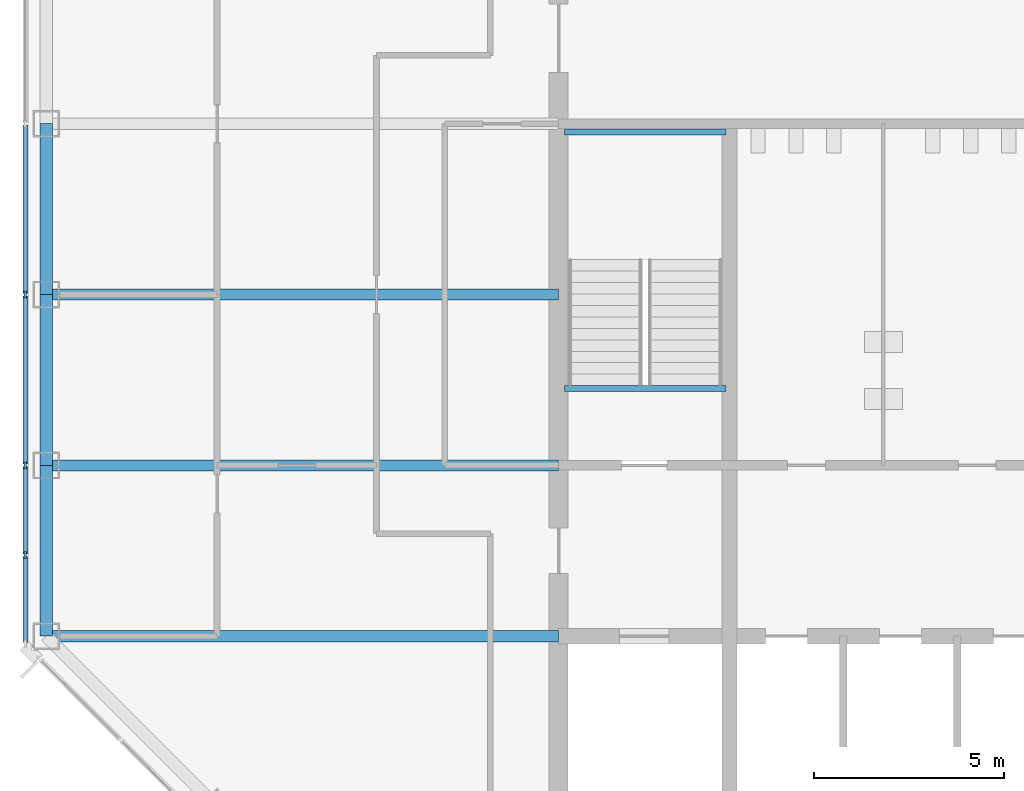
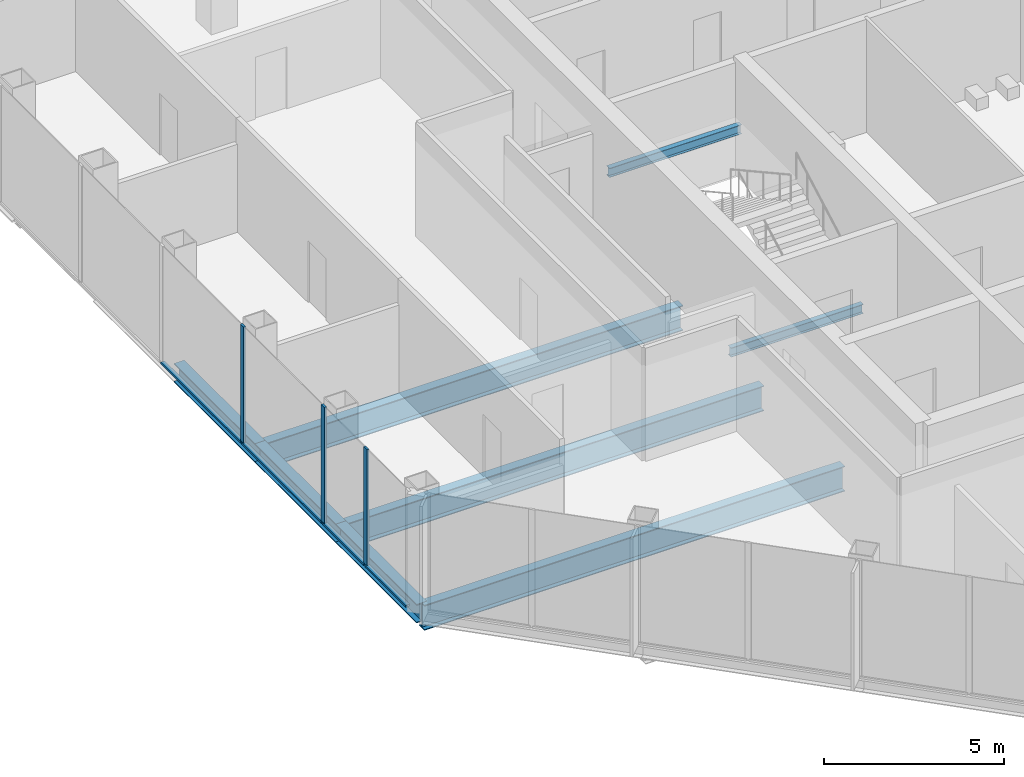
# One storey, part 3 of 13: 8 beams, 7 members, 1 element without a shape of its own.
"""IFC4 building model written with IfcOpenShell, lengths in metres."""

from ifc_helpers import new_model, si_unit, direction, frame, origin, origin_2d, place, context, subcontext, project, spatial, rectangle, i_section, extrude, material, material_profile, profile_set, type_object, element, aggregate, save


model = new_model("IFC4")

# Units and contexts
model_context = context("Model", 3, precision=1e-05, world=origin(), true_north=direction((0.0, 1.0)))
body_context = subcontext(model_context, "Body", "Model", "MODEL_VIEW")
ifc_project = project(units=[si_unit("LENGTHUNIT", "METRE"), si_unit("AREAUNIT", "SQUARE_METRE"), si_unit("VOLUMEUNIT", "CUBIC_METRE"), si_unit("PLANEANGLEUNIT", "RADIAN"), si_unit("MASSUNIT", "GRAM", prefix="KILO")], contexts=[model_context])

# Site, building, storey
site_placement = place(None, origin())
site = spatial("IfcSite", under=ifc_project, at=site_placement, CompositionType="ELEMENT")
building_placement = place(site_placement, origin())
building = spatial("IfcBuilding", under=site, at=building_placement, Name="Corais Broadcast Tower", CompositionType="ELEMENT")
storey_placement = place(building_placement, frame((0.0, 0.0, 175.60009765625)))
storey = spatial("IfcBuildingStorey", under=building, at=storey_placement, Name="L40", CompositionType="ELEMENT", Elevation=175.60009765625)

# Beams
ifc_material_1 = material(Name="Steel ASTM A572 Grade 50", Category="steel")
ifc_material_profile_1 = material_profile(ifc_material_1, i_section(OverallWidth=0.2939453125, OverallDepth=0.85107421875, WebThickness=0.01611328125, FlangeThickness=0.02685546875, at=origin_2d()), Name="W840x226")
ifc_profile_set_1 = profile_set([ifc_material_profile_1], Name="Steel ASTM A572 Grade 50")
beam_type_1 = type_object("IfcBeamType", Name="Floor beam W840x226", PredefinedType="BEAM", material=ifc_profile_set_1)
for number, where, z_axis, x_axis, name in (
    (1, (0.0, 18.0, -0.585693359375), (1.0, 0.0, 0.0), (0.0, 1.0, 0.0), "B1 E/3 to E/6"),
    (2, (0.0, 22.5, -0.585693359375), (1.0, 0.0, 0.0), (0.0, 1.0, 0.0), "B1 F/3 to F/6"),
    (3, (0.0, 27.0, -0.585693359375), (1.0, 0.0, 0.0), (0.0, 1.0, 0.0), "B1 G/3 to G/6"),
):
    element("IfcBeam", number, at=place(storey_placement, frame(where, z_axis=z_axis, x_axis=x_axis)), inside=storey, type_object=beam_type_1, Name=name, PredefinedType="BEAM", context=body_context, shape_type="SweptSolid", body=[
        extrude(i_section(OverallWidth=0.2939453125, OverallDepth=0.85107421875, WebThickness=0.01611328125, FlangeThickness=0.02685546875, at=origin_2d()), origin(), (0.0, 0.0, 1.0), 13.5),
    ])
ifc_material_2 = material(Name="Steel ASTM A572 Grade 50", Category="steel")
ifc_material_profile_2 = material_profile(ifc_material_2, i_section(OverallWidth=0.1650390625, OverallDepth=0.31005859375, WebThickness=0.005859375, FlangeThickness=0.009765625, at=origin_2d()), Name="W310x38.7")
ifc_profile_set_2 = profile_set([ifc_material_profile_2], Name="Steel ASTM A572 Grade 50")
beam_type_2 = type_object("IfcBeamType", Name="Landing trimmer W310x38.7", PredefinedType="BEAM", material=ifc_profile_set_2)
for number, where, z_axis, x_axis, name in (
    (4, (13.64990234375, 24.52490234375, -0.35498046875), (1.0, 0.0, 0.0), (0.0, 1.0, 0.0), "LT1 stair A landing trimmer L40"),
    (5, (13.64990234375, 31.284912109375, 1.64501953125), (1.0, 0.0, 0.0), (0.0, 1.0, 0.0), "LT1 stair A half landing trimmer L40"),
):
    element("IfcBeam", number, at=place(storey_placement, frame(where, z_axis=z_axis, x_axis=x_axis)), inside=storey, type_object=beam_type_2, Name=name, PredefinedType="BEAM", context=body_context, shape_type="SweptSolid", body=[
        extrude(i_section(OverallWidth=0.1650390625, OverallDepth=0.31005859375, WebThickness=0.005859375, FlangeThickness=0.009765625, at=origin_2d()), origin(), (0.0, 0.0, 1.0), 4.25),
    ])

# Curtain wall, members
ifc_material_3 = material(Name="Aluminium and glass", Category="aluminium")
curtain_wall_type = type_object("IfcCurtainWallType", Name="Unitised fritted curtain wall CW2", PredefinedType="NOTDEFINED", material=ifc_material_3)
curtain_wall_placement = place(storey_placement, origin())
curtain_wall = element("IfcCurtainWall", 6, at=curtain_wall_placement, inside=storey, type_object=curtain_wall_type, Name="CW2 curtain wall L40 2", PredefinedType="NOTDEFINED")
ifc_material_4 = material(Name="Aluminium 6063-T6", Category="aluminium")
ifc_material_profile_3 = material_profile(ifc_material_4, rectangle(XDim=0.06494140625, YDim=0.179931640625, at=origin_2d()), Name="Mullion CW2 65x180")
ifc_profile_set_3 = profile_set([ifc_material_profile_3], Name="Aluminium 6063-T6")
member_type_1 = type_object("IfcMemberType", Name="Mullion CW2 65x180", PredefinedType="MULLION", material=ifc_profile_set_3)
member_1_placement = place(storey_placement, frame((-0.550048828125, 20.135986328125, 0.0), z_axis=(0.0, 0.0, 1.0), x_axis=(-1.0, 0.0, 0.0)))
member_1 = element("IfcMember", 7, at=member_1_placement, type_object=member_type_1, Name="CW2 mullion 2", PredefinedType="MULLION", context=body_context, shape_type="SweptSolid", body=[
    extrude(rectangle(XDim=0.06494140625, YDim=0.179931640625, at=origin_2d()), origin(), (0.0, 0.0, 1.0), 4.0),
])
member_2_placement = place(storey_placement, frame((-0.550048828125, 22.5, 0.0), z_axis=(0.0, 0.0, 1.0), x_axis=(-1.0, 0.0, 0.0)))
member_2 = element("IfcMember", 8, at=member_2_placement, type_object=member_type_1, Name="CW2 mullion 3", PredefinedType="MULLION", context=body_context, shape_type="SweptSolid", body=[
    extrude(rectangle(XDim=0.06494140625, YDim=0.179931640625, at=origin_2d()), origin(), (0.0, 0.0, 1.0), 4.0),
])
member_3_placement = place(storey_placement, frame((-0.550048828125, 27.0, 0.0), z_axis=(0.0, 0.0, 1.0), x_axis=(-1.0, 0.0, 0.0)))
member_3 = element("IfcMember", 9, at=member_3_placement, type_object=member_type_1, Name="CW2 mullion 4", PredefinedType="MULLION", context=body_context, shape_type="SweptSolid", body=[
    extrude(rectangle(XDim=0.06494140625, YDim=0.179931640625, at=origin_2d()), origin(), (0.0, 0.0, 1.0), 4.0),
])

# Beams
ifc_material_5 = material(Name="Steel ASTM A572 Grade 50", Category="steel")
ifc_material_profile_4 = material_profile(ifc_material_5, i_section(OverallWidth=0.3291015625, OverallDepth=0.635009765625, WebThickness=0.017822265625, FlangeThickness=0.031005859375, at=origin_2d()), Name="W610x241")
ifc_profile_set_4 = profile_set([ifc_material_profile_4], Name="Steel ASTM A572 Grade 50")
beam_type_3 = type_object("IfcBeamType", Name="Spandrel W610x241", PredefinedType="BEAM", material=ifc_profile_set_4)
for number, where, z_axis, x_axis, name in (
    (10, (0.0, 22.5, -0.4775390625), (0.0, -1.0, 0.0), (1.0, 0.0, 0.0), "SB1 F/3 to E/3"),
    (11, (0.0, 27.0, -0.4775390625), (0.0, -1.0, 0.0), (1.0, 0.0, 0.0), "SB1 G/3 to F/3"),
    (12, (0.0, 31.5, -0.4775390625), (0.0, -1.0, 0.0), (1.0, 0.0, 0.0), "SB1 H/3 to G/3"),
):
    element("IfcBeam", number, at=place(storey_placement, frame(where, z_axis=z_axis, x_axis=x_axis)), inside=storey, type_object=beam_type_3, Name=name, PredefinedType="BEAM", context=body_context, shape_type="SweptSolid", body=[
        extrude(i_section(OverallWidth=0.3291015625, OverallDepth=0.635009765625, WebThickness=0.017822265625, FlangeThickness=0.031005859375, at=origin_2d()), origin(), (0.0, 0.0, 1.0), 4.5),
    ])

# Member
ifc_material_6 = material(Name="Aluminium 6063-T6", Category="aluminium")
ifc_material_profile_5 = material_profile(ifc_material_6, rectangle(XDim=0.1298828125, YDim=0.06494140625, at=origin_2d()), Name="Transom CW2 65x130")
ifc_profile_set_5 = profile_set([ifc_material_profile_5], Name="Aluminium 6063-T6")
member_type_2 = type_object("IfcMemberType", Name="Transom CW2 65x130", PredefinedType="USERDEFINED", material=ifc_profile_set_5)
member_4_placement = place(storey_placement, frame((-0.550048828125, 17.837158203125, 0.032470703125), z_axis=(0.0, 1.0, 0.0), x_axis=(-1.0, 0.0, 0.0)))
member_4 = element("IfcMember", 13, at=member_4_placement, type_object=member_type_2, Name="CW2 transom 1.1", ObjectType="TRANSOM", PredefinedType="USERDEFINED", context=body_context, shape_type="SweptSolid", body=[
    extrude(rectangle(XDim=0.1298828125, YDim=0.06494140625, at=origin_2d()), origin(), (0.0, 0.0, 1.0), 2.266357421875),
])

member_5_placement = place(storey_placement, frame((-0.550048828125, 20.168701171875, 0.032470703125), z_axis=(0.0, 1.0, 0.0), x_axis=(-1.0, 0.0, 0.0)))
member_5 = element("IfcMember", 14, at=member_5_placement, type_object=member_type_2, Name="CW2 transom 2.1", ObjectType="TRANSOM", PredefinedType="USERDEFINED", context=body_context, shape_type="SweptSolid", body=[
    extrude(rectangle(XDim=0.1298828125, YDim=0.06494140625, at=origin_2d()), origin(), (0.0, 0.0, 1.0), 2.298828125),
])

member_6_placement = place(storey_placement, frame((-0.550048828125, 22.532470703125, 0.032470703125), z_axis=(0.0, 1.0, 0.0), x_axis=(-1.0, 0.0, 0.0)))
member_6 = element("IfcMember", 15, at=member_6_placement, type_object=member_type_2, Name="CW2 transom 3.1", ObjectType="TRANSOM", PredefinedType="USERDEFINED", context=body_context, shape_type="SweptSolid", body=[
    extrude(rectangle(XDim=0.1298828125, YDim=0.06494140625, at=origin_2d()), origin(), (0.0, 0.0, 1.0), 4.43505859375),
])

member_7_placement = place(storey_placement, frame((-0.550048828125, 27.032470703125, 0.032470703125), z_axis=(0.0, 1.0, 0.0), x_axis=(-1.0, 0.0, 0.0)))
member_7 = element("IfcMember", 16, at=member_7_placement, type_object=member_type_2, Name="CW2 transom 4.1", ObjectType="TRANSOM", PredefinedType="USERDEFINED", context=body_context, shape_type="SweptSolid", body=[
    extrude(rectangle(XDim=0.1298828125, YDim=0.06494140625, at=origin_2d()), origin(), (0.0, 0.0, 1.0), 4.43505859375),
])

aggregate(curtain_wall, [member_1, member_2, member_3, member_4, member_5, member_6, member_7])

save(model, "model.ifc")
